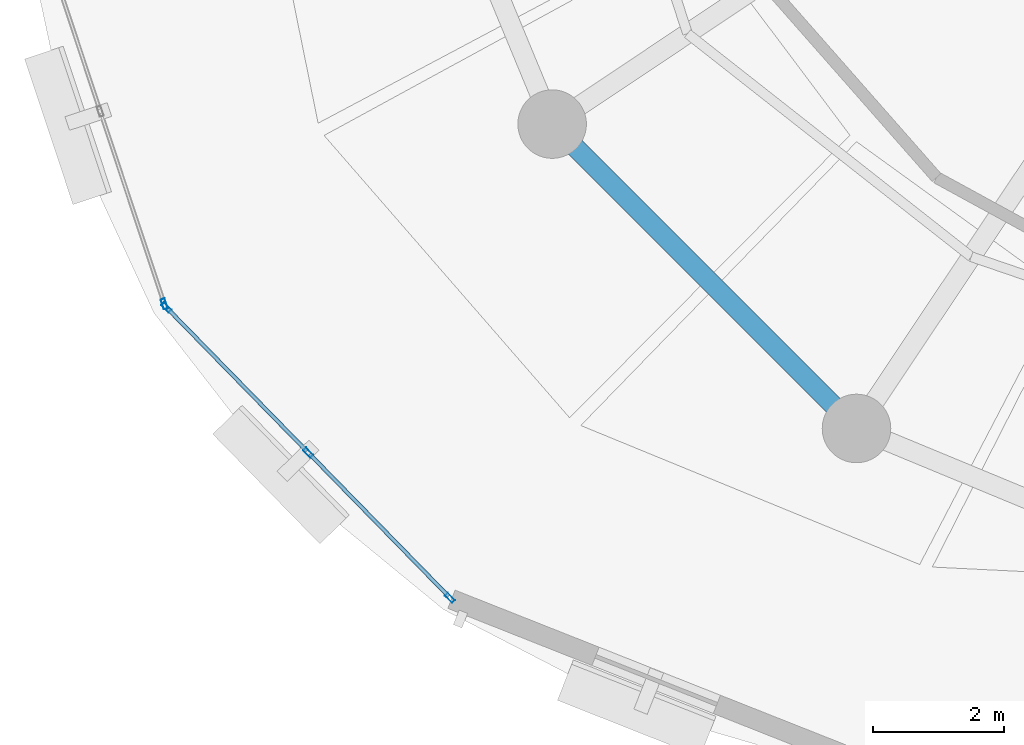
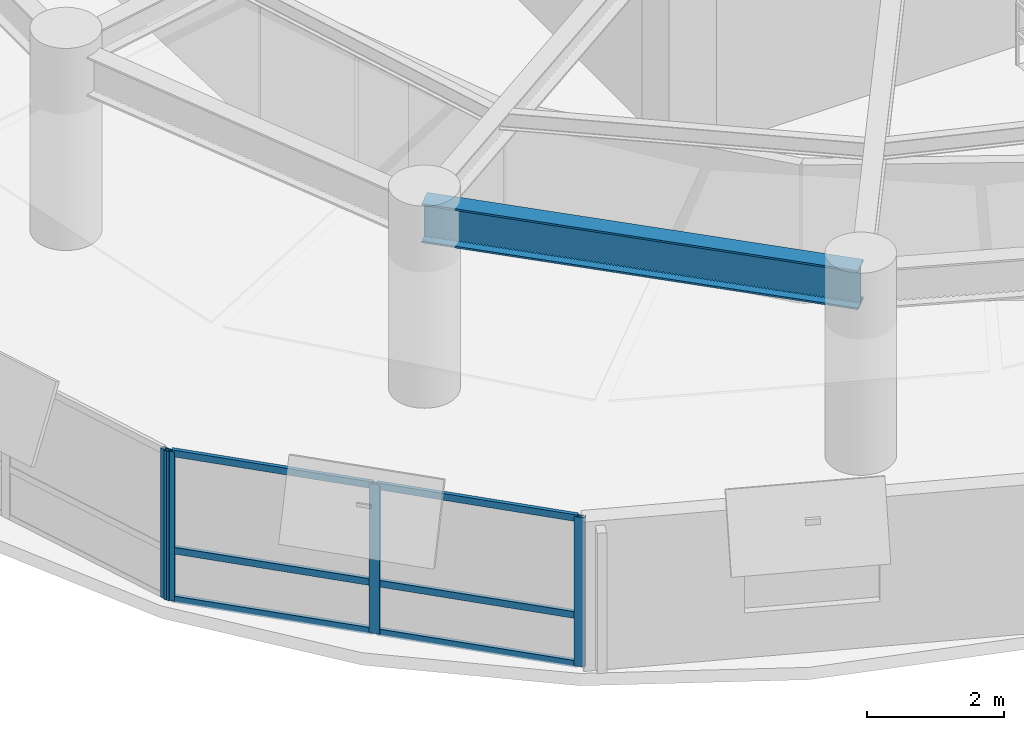
# One storey, part 2 of 15: 10 members, 1 beam, 2 elements without a shape of their own.
"""IFC4 building model written with IfcOpenShell, lengths in metres."""

from ifc_helpers import new_model, si_unit, direction, frame, origin, origin_2d, place, context, subcontext, project, spatial, hollow_rectangle, i_section, extrude, material, layer, layer_set, material_profile, profile_set, type_object, element, aggregate, save


model = new_model("IFC4")

# Units and contexts
model_context = context("Model", 3, precision=1e-05, world=origin(), true_north=direction((0.0, 1.0)))
body_context = subcontext(model_context, "Body", "Model", "MODEL_VIEW")
ifc_project = project(units=[si_unit("LENGTHUNIT", "METRE"), si_unit("AREAUNIT", "SQUARE_METRE"), si_unit("VOLUMEUNIT", "CUBIC_METRE"), si_unit("PLANEANGLEUNIT", "RADIAN"), si_unit("MASSUNIT", "GRAM", prefix="KILO"), si_unit("THERMODYNAMICTEMPERATUREUNIT", "KELVIN"), si_unit("POWERUNIT", "WATT")], contexts=[model_context])

# Site, building, storey
site_placement = place(None, origin())
site = spatial("IfcSite", under=ifc_project, at=site_placement, CompositionType="ELEMENT")
building_placement = place(site_placement, origin())
building = spatial("IfcBuilding", under=site, at=building_placement, Name="Ocrelia Relay Tower", CompositionType="ELEMENT")
storey_placement = place(building_placement, frame((0.0, 0.0, 166.39990234375)))
storey = spatial("IfcBuildingStorey", under=building, at=storey_placement, Name="L39", CompositionType="ELEMENT", Elevation=166.39990234375)

# Beam
ifc_material_1 = material(Name="Steel S355", Category="steel")
ifc_material_profile_1 = material_profile(ifc_material_1, i_section(OverallWidth=0.300048828125, OverallDepth=0.699951171875, WebThickness=0.01708984375, FlangeThickness=0.031982421875, FilletRadius=0.027099609375, at=origin_2d()), Name="HEB 700")
ifc_profile_set_1 = profile_set([ifc_material_profile_1], Name="Steel S355")
beam_type = type_object("IfcBeamType", Name="BM-HEB700", PredefinedType="BEAM", material=ifc_profile_set_1)
beam_placement = place(storey_placement, frame((19.9482421875, 16.61083984375, 3.030029296875), z_axis=(0.707106781187, -0.707106781187, 0.0), x_axis=(0.707106781187, 0.707106781187, 0.0)))
element("IfcBeam", 1, at=beam_placement, inside=storey, type_object=beam_type, Name="L39 Perimeter Spandrel Beam S10", PredefinedType="BEAM", context=body_context, shape_type="SweptSolid", body=[
    extrude(i_section(OverallWidth=0.300048828125, OverallDepth=0.699951171875, WebThickness=0.01708984375, FlangeThickness=0.031982421875, FilletRadius=0.027099609375, at=origin_2d()), origin(), (0.0, 0.0, 1.0), 6.593994140625),
])

# Curtain wall, member
ifc_material_2 = material(Name="Aluminium and solar-control low-E glass", Category="aluminium")
ifc_layer = layer(ifc_material_2, 0.179931640625, Name="Aluminium and solar-control low-E glass")
ifc_layer_set = layer_set([ifc_layer], Name="Aluminium and solar-control low-E glass")
curtain_wall_type = type_object("IfcCurtainWallType", Name="CW-SYS-Z3-CLOU", PredefinedType="NOTDEFINED", material=ifc_layer_set)
curtain_wall_1_placement = place(storey_placement, origin())
curtain_wall_1 = element("IfcCurtainWall", 2, at=curtain_wall_1_placement, inside=storey, type_object=curtain_wall_type, Name="L39 Elliptical Tower Curtain Wall Bay 09", PredefinedType="NOTDEFINED")
ifc_material_3 = material(Name="Anodised bronze aluminium", Category="aluminium")
ifc_material_profile_2 = material_profile(ifc_material_3, hollow_rectangle(XDim=0.06494140625, YDim=0.159912109375, WallThickness=0.0048828125, at=origin_2d()), Name="CW-MUL-160x65")
ifc_profile_set_2 = profile_set([ifc_material_profile_2], Name="Anodised bronze aluminium")
member_type_1 = type_object("IfcMemberType", Name="CW-SYS-Z3-CLOU-MUL", PredefinedType="MULLION", material=ifc_profile_set_2)
member_1_placement = place(storey_placement, frame((14.006103515625, 13.856689453125, 0.0), z_axis=(0.0, 0.0, 1.0), x_axis=(0.949042399138, 0.315148416844, 0.0)))
member_1 = element("IfcMember", 3, at=member_1_placement, type_object=member_type_1, Name="CW-Z3 mullion 3", PredefinedType="MULLION", context=body_context, shape_type="SweptSolid", body=[
    extrude(hollow_rectangle(XDim=0.06494140625, YDim=0.159912109375, WallThickness=0.0048828125, at=origin_2d()), origin(), (0.0, 0.0, 1.0), 2.66015625),
])
aggregate(curtain_wall_1, [member_1])

# Curtain wall, members
curtain_wall_2_placement = place(storey_placement, origin())
curtain_wall_2 = element("IfcCurtainWall", 4, at=curtain_wall_2_placement, inside=storey, type_object=curtain_wall_type, Name="L39 Elliptical Tower Curtain Wall Bay 10", PredefinedType="NOTDEFINED")
member_2_placement = place(storey_placement, frame((14.0390625, 13.802490234375, 0.0), z_axis=(0.0, 0.0, 1.0), x_axis=(0.715327145451, 0.698789721576, 0.0)))
member_2 = element("IfcMember", 5, at=member_2_placement, type_object=member_type_1, Name="CW-Z3 mullion 1", PredefinedType="MULLION", context=body_context, shape_type="SweptSolid", body=[
    extrude(hollow_rectangle(XDim=0.06494140625, YDim=0.159912109375, WallThickness=0.0048828125, at=origin_2d()), origin(), (0.0, 0.0, 1.0), 2.66015625),
])
member_3_placement = place(storey_placement, frame((16.21142578125, 11.57861328125, 0.0), z_axis=(0.0, 0.0, 1.0), x_axis=(0.715327145451, 0.698789721576, 0.0)))
member_3 = element("IfcMember", 6, at=member_3_placement, type_object=member_type_1, Name="CW-Z3 mullion 2", PredefinedType="MULLION", context=body_context, shape_type="SweptSolid", body=[
    extrude(hollow_rectangle(XDim=0.06494140625, YDim=0.159912109375, WallThickness=0.0048828125, at=origin_2d()), origin(), (0.0, 0.0, 1.0), 2.66015625),
])
member_4_placement = place(storey_placement, frame((18.3837890625, 9.354736328125, 0.0), z_axis=(0.0, 0.0, 1.0), x_axis=(0.715327145451, 0.698789721576, 0.0)))
member_4 = element("IfcMember", 7, at=member_4_placement, type_object=member_type_1, Name="CW-Z3 mullion 3", PredefinedType="MULLION", context=body_context, shape_type="SweptSolid", body=[
    extrude(hollow_rectangle(XDim=0.06494140625, YDim=0.159912109375, WallThickness=0.0048828125, at=origin_2d()), origin(), (0.0, 0.0, 1.0), 2.66015625),
])
ifc_material_profile_3 = material_profile(ifc_material_3, hollow_rectangle(XDim=0.06005859375, YDim=0.1201171875, WallThickness=0.0048828125, at=origin_2d()), Name="CW-TRN-120x60")
ifc_profile_set_3 = profile_set([ifc_material_profile_3], Name="Anodised bronze aluminium")
member_type_2 = type_object("IfcMemberType", Name="CW-SYS-Z3-CLOU-TRN", PredefinedType="USERDEFINED", material=ifc_profile_set_3)
member_5_placement = place(storey_placement, frame((14.061767578125, 13.779296875, 0.030029296875), z_axis=(0.698796799232, -0.715320231353, 0.0), x_axis=(0.715320231353, 0.698796799232, 0.0)))
member_5 = element("IfcMember", 8, at=member_5_placement, type_object=member_type_2, Name="CW-Z3 transom 1.1", ObjectType="TRANSOM", PredefinedType="USERDEFINED", context=body_context, shape_type="SweptSolid", body=[
    extrude(hollow_rectangle(XDim=0.06005859375, YDim=0.1201171875, WallThickness=0.0048828125, at=origin_2d()), origin(), (0.0, 0.0, 1.0), 3.043701171875),
])
member_6_placement = place(storey_placement, frame((14.061767578125, 13.779296875, 0.900146484375), z_axis=(0.698796799232, -0.715320231353, 0.0), x_axis=(0.715320231353, 0.698796799232, 0.0)))
member_6 = element("IfcMember", 9, at=member_6_placement, type_object=member_type_2, Name="CW-Z3 transom 1.2", ObjectType="TRANSOM", PredefinedType="USERDEFINED", context=body_context, shape_type="SweptSolid", body=[
    extrude(hollow_rectangle(XDim=0.06005859375, YDim=0.1201171875, WallThickness=0.0048828125, at=origin_2d()), origin(), (0.0, 0.0, 1.0), 3.043701171875),
])
member_7_placement = place(storey_placement, frame((14.061767578125, 13.779296875, 2.630126953125), z_axis=(0.698796799232, -0.715320231353, 0.0), x_axis=(0.715320231353, 0.698796799232, 0.0)))
member_7 = element("IfcMember", 10, at=member_7_placement, type_object=member_type_2, Name="CW-Z3 transom 1.3", ObjectType="TRANSOM", PredefinedType="USERDEFINED", context=body_context, shape_type="SweptSolid", body=[
    extrude(hollow_rectangle(XDim=0.06005859375, YDim=0.1201171875, WallThickness=0.0048828125, at=origin_2d()), origin(), (0.0, 0.0, 1.0), 3.043701171875),
])
member_8_placement = place(storey_placement, frame((16.234130859375, 11.555419921875, 0.030029296875), z_axis=(0.698796799232, -0.715320231353, 0.0), x_axis=(0.715320231353, 0.698796799232, 0.0)))
member_8 = element("IfcMember", 11, at=member_8_placement, type_object=member_type_2, Name="CW-Z3 transom 2.1", ObjectType="TRANSOM", PredefinedType="USERDEFINED", context=body_context, shape_type="SweptSolid", body=[
    extrude(hollow_rectangle(XDim=0.06005859375, YDim=0.1201171875, WallThickness=0.0048828125, at=origin_2d()), origin(), (0.0, 0.0, 1.0), 3.043701171875),
])
member_9_placement = place(storey_placement, frame((16.234130859375, 11.555419921875, 0.900146484375), z_axis=(0.698796799232, -0.715320231353, 0.0), x_axis=(0.715320231353, 0.698796799232, 0.0)))
member_9 = element("IfcMember", 12, at=member_9_placement, type_object=member_type_2, Name="CW-Z3 transom 2.2", ObjectType="TRANSOM", PredefinedType="USERDEFINED", context=body_context, shape_type="SweptSolid", body=[
    extrude(hollow_rectangle(XDim=0.06005859375, YDim=0.1201171875, WallThickness=0.0048828125, at=origin_2d()), origin(), (0.0, 0.0, 1.0), 3.043701171875),
])
member_10_placement = place(storey_placement, frame((16.234130859375, 11.555419921875, 2.630126953125), z_axis=(0.698796799232, -0.715320231353, 0.0), x_axis=(0.715320231353, 0.698796799232, 0.0)))
member_10 = element("IfcMember", 13, at=member_10_placement, type_object=member_type_2, Name="CW-Z3 transom 2.3", ObjectType="TRANSOM", PredefinedType="USERDEFINED", context=body_context, shape_type="SweptSolid", body=[
    extrude(hollow_rectangle(XDim=0.06005859375, YDim=0.1201171875, WallThickness=0.0048828125, at=origin_2d()), origin(), (0.0, 0.0, 1.0), 3.043701171875),
])
aggregate(curtain_wall_2, [member_2, member_3, member_4, member_5, member_6, member_7, member_8, member_9, member_10])

save(model, "model.ifc")
